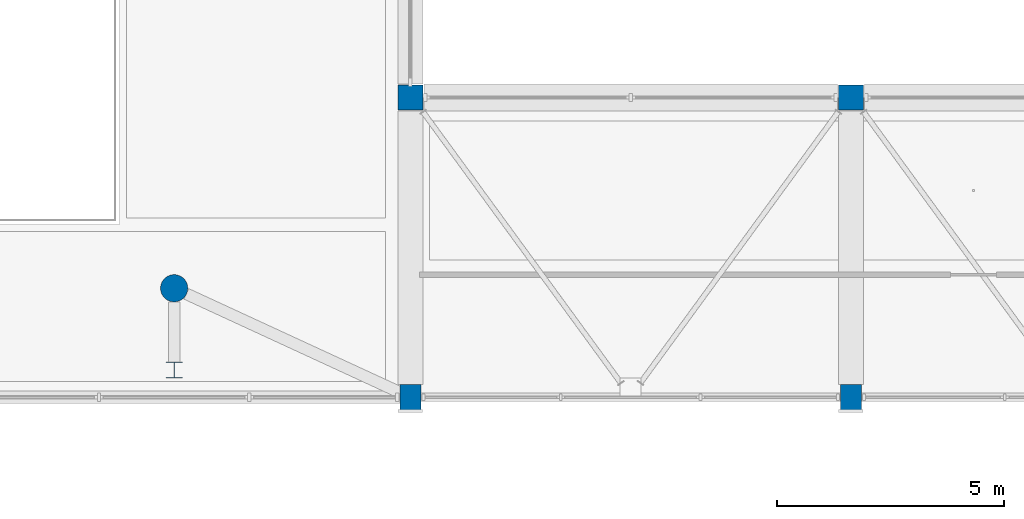
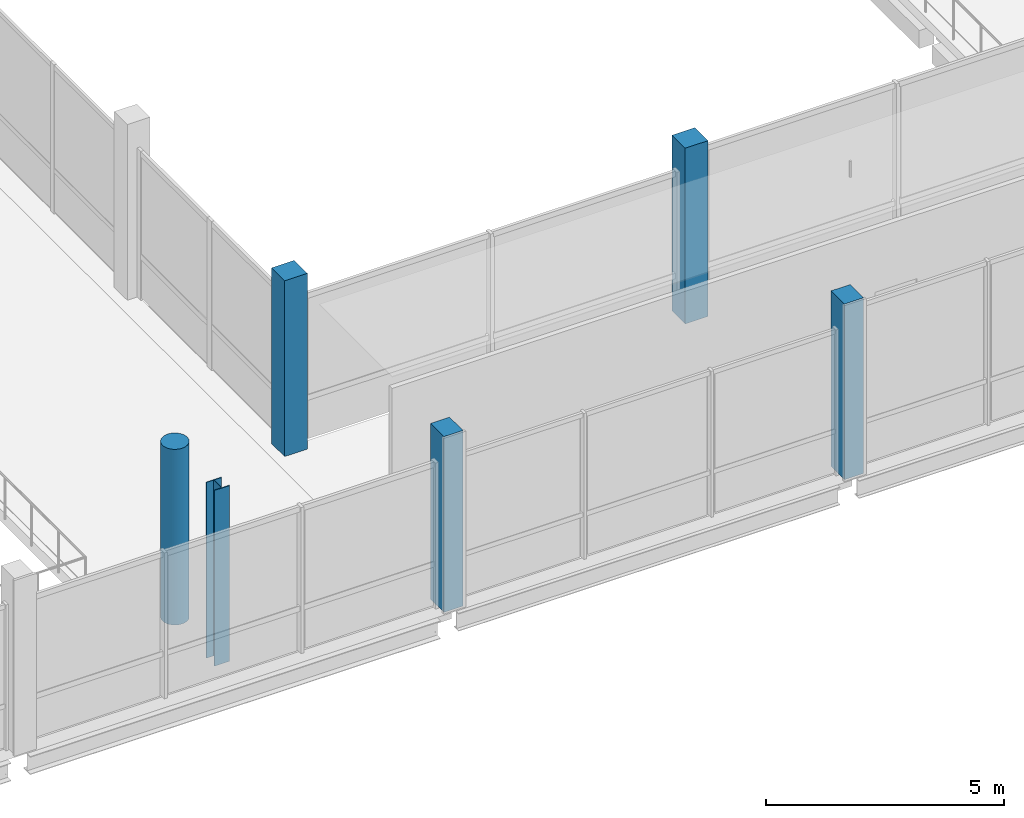
# One storey, part 10 of 95: 6 columns.
"""IFC4 building model written with IfcOpenShell, lengths in metres."""

from ifc_helpers import new_model, si_unit, derived_unit, direction, frame, origin, origin_2d, place, context, subcontext, project, spatial, rectangle, circle, i_section, extrude, material, material_profile, profile_set, type_object, element, save


model = new_model("IFC4")

# Units and contexts
model_context = context("Model", 3, precision=1e-05, world=origin(), true_north=direction((0.0, 1.0)))
body_context = subcontext(model_context, "Body", "Model", "MODEL_VIEW")
ifc_project = project(units=[si_unit("LENGTHUNIT", "METRE"), si_unit("AREAUNIT", "SQUARE_METRE"), si_unit("VOLUMEUNIT", "CUBIC_METRE"), si_unit("PLANEANGLEUNIT", "RADIAN"), si_unit("MASSUNIT", "GRAM", prefix="KILO"), derived_unit("THERMALTRANSMITTANCEUNIT", [(si_unit("POWERUNIT", "WATT"), 1), (si_unit("LENGTHUNIT", "METRE"), -2), (si_unit("THERMODYNAMICTEMPERATUREUNIT", "KELVIN"), -1)])], contexts=[model_context])

# Site, building, storey
site_placement = place(None, origin())
site = spatial("IfcSite", under=ifc_project, at=site_placement, CompositionType="ELEMENT")
building_placement = place(site_placement, origin())
building = spatial("IfcBuilding", under=site, at=building_placement, Name="Braskholm Square Health Centre", CompositionType="ELEMENT")
storey_placement = place(building_placement, frame((0.0, 0.0, 4.800048828125)))
storey = spatial("IfcBuildingStorey", under=building, at=storey_placement, Name="L02", CompositionType="ELEMENT", Elevation=4.800048828125)

# Columns
ifc_material_1 = material(Name="Concrete C40/50 (f'c = 40 MPa)", Category="concrete")
ifc_material_profile_1 = material_profile(ifc_material_1, rectangle(XDim=0.550048828125, YDim=0.550048828125, at=origin_2d()), Name="RC-550X550")
ifc_profile_set_1 = profile_set([ifc_material_profile_1], Name="Concrete C40/50 (f'c = 40 MPa)")
column_type_1 = type_object("IfcColumnType", Name="ColInteriorMid550", PredefinedType="COLUMN", material=ifc_profile_set_1)
for number, where, z_axis, x_axis, name in (
    (1, (120.39990234375, 93.800048828125, 0.0), (0.0, 0.0, 1.0), (1.0, 0.0, 0.0), "Column 15/P L02"),
    (2, (130.10009765625, 93.800048828125, 0.0), (0.0, 0.0, 1.0), (1.0, 0.0, 0.0), "Column 16/P L02"),
):
    element("IfcColumn", number, at=place(storey_placement, frame(where, z_axis=z_axis, x_axis=x_axis)), inside=storey, type_object=column_type_1, Name=name, PredefinedType="COLUMN", context=body_context, shape_type="SweptSolid", body=[
        extrude(rectangle(XDim=0.550048828125, YDim=0.550048828125, at=origin_2d()), origin(), (0.0, 0.0, 1.0), 4.5),
    ])
ifc_material_2 = material(Name="Precast concrete C40/50 architectural white", Category="concrete")
ifc_material_profile_2 = material_profile(ifc_material_2, rectangle(XDim=0.4599609375, YDim=0.56005859375, at=origin_2d()), Name="RC-460X560")
ifc_profile_set_2 = profile_set([ifc_material_profile_2], Name="Precast concrete C40/50 architectural white")
column_type_2 = type_object("IfcColumnType", Name="ColPrecastFrame460x560", PredefinedType="COLUMN", material=ifc_profile_set_2)
for number, where, z_axis, x_axis, name in (
    (3, (120.39990234375, 87.199951171875, 0.0), (0.0, 0.0, 1.0), (1.0, 0.0, 0.0), "Column 15/N L02"),
    (4, (130.10009765625, 87.199951171875, 0.0), (0.0, 0.0, 1.0), (1.0, 0.0, 0.0), "Column 16/N L02"),
):
    element("IfcColumn", number, at=place(storey_placement, frame(where, z_axis=z_axis, x_axis=x_axis)), inside=storey, type_object=column_type_2, Name=name, PredefinedType="COLUMN", context=body_context, shape_type="SweptSolid", body=[
        extrude(rectangle(XDim=0.4599609375, YDim=0.56005859375, at=origin_2d()), origin(), (0.0, 0.0, 1.0), 4.5),
    ])
ifc_material_profile_3 = material_profile(ifc_material_1, circle(Radius=0.300048828125, at=origin_2d()), Name="RC-RND-600")
ifc_profile_set_3 = profile_set([ifc_material_profile_3], Name="Concrete C40/50 (f'c = 40 MPa)")
column_type_3 = type_object("IfcColumnType", Name="ColRoundConcourse600", PredefinedType="COLUMN", material=ifc_profile_set_3)
column_1_placement = place(storey_placement, frame((115.199951171875, 89.60009765625, 0.0), z_axis=(0.0, 0.0, 1.0), x_axis=(1.0, 0.0, 0.0)))
element("IfcColumn", 5, at=column_1_placement, inside=storey, type_object=column_type_3, Name="Column RC06 L02", PredefinedType="COLUMN", context=body_context, shape_type="SweptSolid", body=[
    extrude(circle(Radius=0.300048828125, at=origin_2d()), origin(), (0.0, 0.0, 1.0), 4.5),
])
ifc_material_3 = material(Name="Steel ASTM A992 Grade 50", Category="steel")
ifc_material_profile_4 = material_profile(ifc_material_3, i_section(OverallWidth=0.368896484375, OverallDepth=0.35595703125, WebThickness=0.01123046875, FlangeThickness=0.01806640625, at=origin_2d()), Name="W14X90")
ifc_profile_set_4 = profile_set([ifc_material_profile_4], Name="Steel ASTM A992 Grade 50")
column_type_4 = type_object("IfcColumnType", Name="ColSteelHallW14X90", PredefinedType="COLUMN", material=ifc_profile_set_4)
column_2_placement = place(storey_placement, frame((115.199951171875, 87.800048828125, 0.0), z_axis=(0.0, 0.0, 1.0), x_axis=(1.0, 0.0, 0.0)))
element("IfcColumn", 6, at=column_2_placement, inside=storey, type_object=column_type_4, Name="Column CS1F L02", PredefinedType="COLUMN", context=body_context, shape_type="SweptSolid", body=[
    extrude(i_section(OverallWidth=0.368896484375, OverallDepth=0.35595703125, WebThickness=0.01123046875, FlangeThickness=0.01806640625, at=origin_2d()), origin(), (0.0, 0.0, 1.0), 4.5),
])

save(model, "model.ifc")
